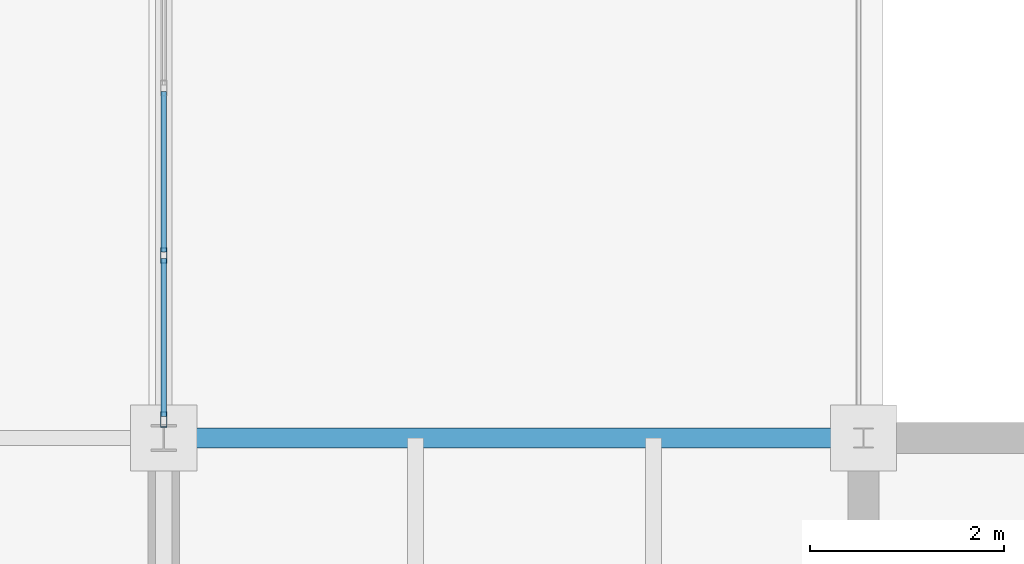
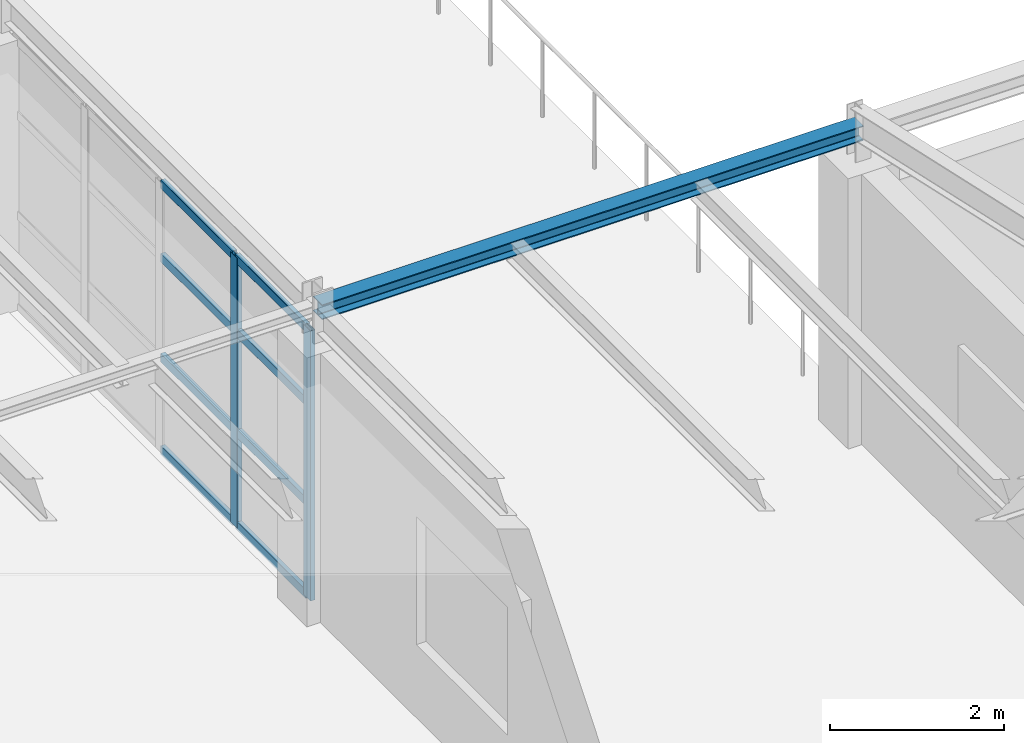
# One storey, part 34 of 101: 10 members, 1 beam, 1 element without a shape of its own.
"""IFC4 building model written with IfcOpenShell, lengths in metres."""

import ifcopenshell
import ifcopenshell.guid

model = None  # the IFC model being written
_history = None  # IfcOwnerHistory: only IFC2X3 demands one
_inside = {}  # id of a spatial element -> (the spatial element, [elements in it])
_under = {}  # id of a project, library or spatial element -> (it, [spatial elements below it])
_declared = {}  # id of a project -> (the project, [libraries it declares])
_typed = {}  # id of a type object -> (the type object, [elements of that type])
_made_of = {}  # id of a material, layer set ... -> (it, [elements and type objects made of it])


def new_model(schema):
    """Start an empty IFC model of exactly this schema.

    Asked for "IFC4X3", IfcOpenShell would pick the latest addendum, in which some entities
    have other attributes; the version numbers below select the first issue.
    IFC2X3 requires an IfcOwnerHistory on every rooted entity: one is made here for all.
    """
    global model, _history
    if schema == "IFC4X3":
        model = ifcopenshell.file(schema_version=(4, 3, 0, 0))
    else:
        model = ifcopenshell.file(schema=schema)
    _inside.clear()
    _under.clear()
    _declared.clear()
    _typed.clear()
    _made_of.clear()
    _history = None
    if model.schema == "IFC2X3":
        org = make("IfcOrganization", Name="unknown")
        user = make(
            "IfcPersonAndOrganization",
            ThePerson=make("IfcPerson", FamilyName="unknown"),
            TheOrganization=org,
        )
        app = make(
            "IfcApplication",
            ApplicationDeveloper=org,
            Version="unknown",
            ApplicationFullName="unknown",
            ApplicationIdentifier="unknown",
        )
        _history = make(
            "IfcOwnerHistory",
            OwningUser=user,
            OwningApplication=app,
            ChangeAction="ADDED",
            CreationDate=0,
        )
    return model


def make(cls, **values):
    """One entity of the class cls with the attributes given. An attribute that is None is left unset."""
    return model.create_entity(
        cls, **{name: value for name, value in values.items() if value is not None}
    )


def rooted(cls, **values):
    """An entity with a GlobalId (a new one), such as an element, a storey or a relation."""
    return make(cls, GlobalId=ifcopenshell.guid.new(), OwnerHistory=_history, **values)


def si_unit(unit_type, name, prefix=None):
    """IfcSIUnit, for example si_unit("LENGTHUNIT", "METRE", prefix="MILLI")."""
    return make("IfcSIUnit", UnitType=unit_type, Prefix=prefix, Name=name)


def assignment(units):
    """IfcUnitAssignment: the units of a project."""
    return None if units is None else make("IfcUnitAssignment", Units=units)


def point(xyz):
    """IfcCartesianPoint."""
    return None if xyz is None else make("IfcCartesianPoint", Coordinates=xyz)


def direction(xyz):
    """IfcDirection."""
    return None if xyz is None else make("IfcDirection", DirectionRatios=xyz)


def frame(location, z_axis=None, x_axis=None):
    """IfcAxis2Placement3D, a coordinate frame: its origin and axes. An axis left out is left unset."""
    return make(
        "IfcAxis2Placement3D",
        Location=point(location),
        Axis=direction(z_axis),
        RefDirection=direction(x_axis),
    )


def frame_2d(location, x_axis=None):
    """IfcAxis2Placement2D, a coordinate frame in the plane: its origin and x axis."""
    return make(
        "IfcAxis2Placement2D", Location=point(location), RefDirection=direction(x_axis)
    )


def origin():
    """The frame at (0, 0, 0) with its axes left unset."""
    return frame((0.0, 0.0, 0.0))


def origin_2d():
    """The frame at (0, 0) in the plane with its x axis left unset."""
    return frame_2d((0.0, 0.0))


def place(relative_to, where):
    """IfcLocalPlacement: puts the frame where relative to a parent placement (None: the world)."""
    return make(
        "IfcLocalPlacement", PlacementRelTo=relative_to, RelativePlacement=where
    )


def context(
    kind, dimensions, precision=None, world=None, true_north=None, identifier=None
):
    """IfcGeometricRepresentationContext, for example the 3D "Model" context."""
    return make(
        "IfcGeometricRepresentationContext",
        ContextIdentifier=identifier,
        ContextType=kind,
        CoordinateSpaceDimension=dimensions,
        Precision=precision,
        WorldCoordinateSystem=world,
        TrueNorth=true_north,
    )


def subcontext(parent, identifier, kind, view, scale=None):
    """IfcGeometricRepresentationSubContext, for example "Body" below "Model"."""
    return make(
        "IfcGeometricRepresentationSubContext",
        ContextIdentifier=identifier,
        ContextType=kind,
        ParentContext=parent,
        TargetScale=scale,
        TargetView=view,
    )


def project(units=None, contexts=None):
    """IfcProject with its units and contexts."""
    return rooted(
        "IfcProject",
        Name="project",
        RepresentationContexts=contexts,
        UnitsInContext=assignment(units),
    )


def spatial(cls, under=None, at=None, **own):
    """A site, building, storey or space (cls), placed at a placement, below another one or the project."""
    s = rooted(cls, ObjectPlacement=at, **own)
    if under is not None:
        _under.setdefault(under.id(), (under, []))[1].append(s)
    return s


def profile(cls, at=None, kind="AREA", **sizes):
    """A parametric profile (cls). Its sizes go by their IFC names, for example OverallWidth=200.0."""
    return make(cls, ProfileType=kind, Position=at, **sizes)


def hollow_rectangle(**sizes):
    """IfcRectangleHollowProfileDef."""
    return profile("IfcRectangleHollowProfileDef", **sizes)


def i_section(**sizes):
    """IfcIShapeProfileDef."""
    return profile("IfcIShapeProfileDef", **sizes)


def extrude(swept, where, along, depth):
    """IfcExtrudedAreaSolid: the profile swept, set in the frame where, extruded along a direction by depth."""
    return make(
        "IfcExtrudedAreaSolid",
        SweptArea=swept,
        Position=where,
        ExtrudedDirection=direction(along),
        Depth=depth,
    )


def shape(context_of_items, identifier, shape_type, items):
    """IfcShapeRepresentation: the items that make up one representation, for example the "Body"."""
    return make(
        "IfcShapeRepresentation",
        ContextOfItems=context_of_items,
        RepresentationIdentifier=identifier,
        RepresentationType=shape_type,
        Items=items,
    )


def material(Name=None, Category=None):
    """IfcMaterial."""
    return make("IfcMaterial", Name=Name, Category=Category)


def layer(
    of_material, thickness, ventilated=None, Name=None, Category=None, Priority=None
):
    """IfcMaterialLayer: one layer of a wall or slab, of a material (None: an air gap)."""
    return make(
        "IfcMaterialLayer",
        Material=of_material,
        LayerThickness=thickness,
        IsVentilated=ventilated,
        Name=Name,
        Category=Category,
        Priority=Priority,
    )


def layer_set(layers, Name=None):
    """IfcMaterialLayerSet."""
    return make("IfcMaterialLayerSet", MaterialLayers=layers, LayerSetName=Name)


def material_profile(
    of_material, cross_section, Name=None, Category=None, Priority=None
):
    """IfcMaterialProfile: a cross section and its material."""
    return make(
        "IfcMaterialProfile",
        Name=Name,
        Material=of_material,
        Profile=cross_section,
        Priority=Priority,
        Category=Category,
    )


def profile_set(profiles, Name=None, composite=None):
    """IfcMaterialProfileSet."""
    return make(
        "IfcMaterialProfileSet",
        Name=Name,
        MaterialProfiles=profiles,
        CompositeProfile=composite,
    )


def made_of(thing, what):
    """Note that an element or type object is made of a material, layer set ...; save() writes the relation."""
    if what is not None:
        _made_of.setdefault(what.id(), (what, []))[1].append(thing)
    return thing


def type_object(cls, material=None, **own):
    """A type object (cls), such as IfcWallType, which elements share."""
    return made_of(rooted(cls, **own), material)


def element(
    cls,
    number,
    at=None,
    inside=None,
    cuts=None,
    type_object=None,
    material=None,
    context=None,
    identifier="Body",
    shape_type=None,
    held_by="IfcProductDefinitionShape",
    body=None,
    shapes=None,
    **own,
):
    """One element of the class cls, such as IfcWall. Its Tag is "e" and its number.

    at: its placement. inside: the storey or other place that contains it. cuts: it is an
    opening in that element (IfcRelVoidsElement). A single representation is given by context,
    identifier, shape_type and body (its items); several are given by shapes. held_by: the class
    of the entity that holds the representations. save() writes the other relations.
    """
    e = rooted(cls, Tag="e%d" % number, ObjectPlacement=at, **own)
    if body is not None:
        shapes = [shape(context, identifier, shape_type, body)]
    if shapes is not None:
        e.Representation = make(held_by, Representations=shapes)
    if inside is not None:
        _inside.setdefault(inside.id(), (inside, []))[1].append(e)
    if cuts is not None:
        rooted(
            "IfcRelVoidsElement", RelatingBuildingElement=cuts, RelatedOpeningElement=e
        )
    if type_object is not None:
        _typed.setdefault(type_object.id(), (type_object, []))[1].append(e)
    return made_of(e, material)


def aggregate(whole, parts):
    """IfcRelAggregates: a whole, such as a stair, and the parts it consists of."""
    return rooted("IfcRelAggregates", RelatingObject=whole, RelatedObjects=parts)


def save(model, path):
    """Write the relations noted so far, then the file.

    IfcRelAggregates (storeys below a building ...), IfcRelContainedInSpatialStructure (elements
    in a storey), IfcRelDefinesByType, IfcRelAssociatesMaterial and IfcRelDeclares: one each for
    every whole, place, type object, material and project.
    """
    for whole, parts in _under.values():
        aggregate(whole, parts)
    for where, things in _inside.values():
        rooted(
            "IfcRelContainedInSpatialStructure",
            RelatedElements=things,
            RelatingStructure=where,
        )
    for kind, things in _typed.values():
        rooted("IfcRelDefinesByType", RelatedObjects=things, RelatingType=kind)
    for what, things in _made_of.values():
        rooted("IfcRelAssociatesMaterial", RelatedObjects=things, RelatingMaterial=what)
    for by, libraries in _declared.values():
        rooted("IfcRelDeclares", RelatingContext=by, RelatedDefinitions=libraries)
    model.write(path)


model = new_model("IFC4")

# Units and contexts
model_context = context("Model", 3, precision=1e-05, world=origin(), true_north=direction((0.0, 1.0)))
body_context = subcontext(model_context, "Body", "Model", "MODEL_VIEW")
ifc_project = project(units=[si_unit("LENGTHUNIT", "METRE"), si_unit("AREAUNIT", "SQUARE_METRE"), si_unit("VOLUMEUNIT", "CUBIC_METRE"), si_unit("PLANEANGLEUNIT", "RADIAN"), si_unit("MASSUNIT", "GRAM", prefix="KILO")], contexts=[model_context])

# Site, building, storey
site_placement = place(None, origin())
site = spatial("IfcSite", under=ifc_project, at=site_placement, CompositionType="ELEMENT")
building_placement = place(site_placement, origin())
building = spatial("IfcBuilding", under=site, at=building_placement, Name="Kemerveld Promenade Tramway Depot", CompositionType="ELEMENT")
storey_placement = place(building_placement, frame((0.0, 0.0, 9.89990234375)))
storey = spatial("IfcBuildingStorey", under=building, at=storey_placement, Name="L02", CompositionType="ELEMENT", Elevation=9.89990234375)

# Beam
ifc_material_1 = material(Name="Steel S355", Category="steel")
ifc_material_profile_1 = material_profile(ifc_material_1, i_section(OverallWidth=0.205810546875, OverallDepth=0.209716796875, WebThickness=0.009521484375, FlangeThickness=0.01416015625, FilletRadius=0.01025390625, at=origin_2d()), Name="203x203x60 UC")
ifc_profile_set_1 = profile_set([ifc_material_profile_1], Name="Steel S355")
beam_type = type_object("IfcBeamType", Name="BM-LN3", PredefinedType="LINTEL", material=ifc_profile_set_1)
beam_placement = place(storey_placement, frame((50.39990234375, 28.800048828125, 4.18017578125), z_axis=(1.0, 0.0, 0.0), x_axis=(0.0, 1.0, 0.0)))
element("IfcBeam", 1, at=beam_placement, inside=storey, type_object=beam_type, Name="BMX-L02-08-09-E", PredefinedType="LINTEL", context=body_context, shape_type="SweptSolid", body=[
    extrude(i_section(OverallWidth=0.205810546875, OverallDepth=0.209716796875, WebThickness=0.009521484375, FlangeThickness=0.01416015625, FilletRadius=0.01025390625, at=origin_2d()), origin(), (0.0, 0.0, 1.0), 7.2001953125),
])

# Curtain wall, members
ifc_material_2 = material(Name="Bronze anodised aluminium and solar glass", Category="aluminium")
ifc_layer = layer(ifc_material_2, 0.159912109375)
ifc_layer_set = layer_set([ifc_layer], Name="CW-SYS-09")
curtain_wall_type = type_object("IfcCurtainWallType", Name="CW-SYS-09", PredefinedType="USERDEFINED", material=ifc_layer_set)
curtain_wall_placement = place(storey_placement, origin())
curtain_wall = element("IfcCurtainWall", 2, at=curtain_wall_placement, inside=storey, type_object=curtain_wall_type, Name="CW-L02-V5E-06", ObjectType="GLAZED_CURTAIN_WALL", PredefinedType="USERDEFINED")
ifc_material_3 = material(Name="Bronze anodised aluminium", Category="aluminium")
ifc_material_profile_2 = material_profile(ifc_material_3, hollow_rectangle(XDim=0.06494140625, YDim=0.159912109375, WallThickness=0.00390625, InnerFilletRadius=0.001953125, OuterFilletRadius=0.00390625, at=origin_2d()), Name="CW-MUL-160x65")
ifc_profile_set_2 = profile_set([ifc_material_profile_2], Name="Bronze anodised aluminium")
member_type_1 = type_object("IfcMemberType", Name="CW-MUL-A", PredefinedType="MULLION", material=ifc_profile_set_2)
member_1_placement = place(storey_placement, frame((50.39990234375, 30.678955078125, 0.0), z_axis=(0.0, 0.0, 1.0), x_axis=(1.0, 0.0, 0.0)))
member_1 = element("IfcMember", 3, at=member_1_placement, type_object=member_type_1, Name="CW09 mullion 4", PredefinedType="MULLION", context=body_context, shape_type="SweptSolid", body=[
    extrude(hollow_rectangle(XDim=0.06494140625, YDim=0.159912109375, WallThickness=0.00390625, InnerFilletRadius=0.001953125, OuterFilletRadius=0.00390625, at=origin_2d()), origin(), (0.0, 0.0, 1.0), 3.800048828125),
])
member_2_placement = place(storey_placement, frame((50.39990234375, 28.990478515625, 0.0), z_axis=(0.0, 0.0, 1.0), x_axis=(1.0, 0.0, 0.0)))
member_2 = element("IfcMember", 4, at=member_2_placement, type_object=member_type_1, Name="CW09 mullion 5", PredefinedType="MULLION", context=body_context, shape_type="SweptSolid", body=[
    extrude(hollow_rectangle(XDim=0.06494140625, YDim=0.159912109375, WallThickness=0.00390625, InnerFilletRadius=0.001953125, OuterFilletRadius=0.00390625, at=origin_2d()), origin(), (0.0, 0.0, 1.0), 3.800048828125),
])
ifc_material_profile_3 = material_profile(ifc_material_3, hollow_rectangle(XDim=0.06005859375, YDim=0.1201171875, WallThickness=0.00390625, InnerFilletRadius=0.001953125, OuterFilletRadius=0.00390625, at=origin_2d()), Name="CW-TRN-120x60")
ifc_profile_set_3 = profile_set([ifc_material_profile_3], Name="Bronze anodised aluminium")
member_type_2 = type_object("IfcMemberType", Name="CW-TRN-A", PredefinedType="USERDEFINED", material=ifc_profile_set_3)
member_3_placement = place(storey_placement, frame((50.39990234375, 32.367431640625, 0.030029296875), z_axis=(0.0, -1.0, 0.0), x_axis=(1.0, 0.0, 0.0)))
member_3 = element("IfcMember", 5, at=member_3_placement, type_object=member_type_2, Name="CW09 transom 3.1", ObjectType="TRANSOM", PredefinedType="USERDEFINED", context=body_context, shape_type="SweptSolid", body=[
    extrude(hollow_rectangle(XDim=0.06005859375, YDim=0.1201171875, WallThickness=0.00390625, InnerFilletRadius=0.001953125, OuterFilletRadius=0.00390625, at=origin_2d()), origin(), (0.0, 0.0, 1.0), 1.65576171875),
])
member_4_placement = place(storey_placement, frame((50.39990234375, 32.367431640625, 1.330078125), z_axis=(0.0, -1.0, 0.0), x_axis=(1.0, 0.0, 0.0)))
member_4 = element("IfcMember", 6, at=member_4_placement, type_object=member_type_2, Name="CW09 transom 3.2", ObjectType="TRANSOM", PredefinedType="USERDEFINED", context=body_context, shape_type="SweptSolid", body=[
    extrude(hollow_rectangle(XDim=0.06005859375, YDim=0.1201171875, WallThickness=0.00390625, InnerFilletRadius=0.001953125, OuterFilletRadius=0.00390625, at=origin_2d()), origin(), (0.0, 0.0, 1.0), 1.65576171875),
])
member_5_placement = place(storey_placement, frame((50.39990234375, 32.367431640625, 2.736083984375), z_axis=(0.0, -1.0, 0.0), x_axis=(1.0, 0.0, 0.0)))
member_5 = element("IfcMember", 7, at=member_5_placement, type_object=member_type_2, Name="CW09 transom 3.3", ObjectType="TRANSOM", PredefinedType="USERDEFINED", context=body_context, shape_type="SweptSolid", body=[
    extrude(hollow_rectangle(XDim=0.06005859375, YDim=0.1201171875, WallThickness=0.00390625, InnerFilletRadius=0.001953125, OuterFilletRadius=0.00390625, at=origin_2d()), origin(), (0.0, 0.0, 1.0), 1.65576171875),
])
member_6_placement = place(storey_placement, frame((50.39990234375, 32.367431640625, 3.77001953125), z_axis=(0.0, -1.0, 0.0), x_axis=(1.0, 0.0, 0.0)))
member_6 = element("IfcMember", 8, at=member_6_placement, type_object=member_type_2, Name="CW09 transom 3.4", ObjectType="TRANSOM", PredefinedType="USERDEFINED", context=body_context, shape_type="SweptSolid", body=[
    extrude(hollow_rectangle(XDim=0.06005859375, YDim=0.1201171875, WallThickness=0.00390625, InnerFilletRadius=0.001953125, OuterFilletRadius=0.00390625, at=origin_2d()), origin(), (0.0, 0.0, 1.0), 1.65576171875),
])
member_7_placement = place(storey_placement, frame((50.39990234375, 30.646484375, 0.030029296875), z_axis=(0.0, -1.0, 0.0), x_axis=(1.0, 0.0, 0.0)))
member_7 = element("IfcMember", 9, at=member_7_placement, type_object=member_type_2, Name="CW09 transom 4.1", ObjectType="TRANSOM", PredefinedType="USERDEFINED", context=body_context, shape_type="SweptSolid", body=[
    extrude(hollow_rectangle(XDim=0.06005859375, YDim=0.1201171875, WallThickness=0.00390625, InnerFilletRadius=0.001953125, OuterFilletRadius=0.00390625, at=origin_2d()), origin(), (0.0, 0.0, 1.0), 1.623291015625),
])
member_8_placement = place(storey_placement, frame((50.39990234375, 30.646484375, 1.330078125), z_axis=(0.0, -1.0, 0.0), x_axis=(1.0, 0.0, 0.0)))
member_8 = element("IfcMember", 10, at=member_8_placement, type_object=member_type_2, Name="CW09 transom 4.2", ObjectType="TRANSOM", PredefinedType="USERDEFINED", context=body_context, shape_type="SweptSolid", body=[
    extrude(hollow_rectangle(XDim=0.06005859375, YDim=0.1201171875, WallThickness=0.00390625, InnerFilletRadius=0.001953125, OuterFilletRadius=0.00390625, at=origin_2d()), origin(), (0.0, 0.0, 1.0), 1.623291015625),
])
member_9_placement = place(storey_placement, frame((50.39990234375, 30.646484375, 2.736083984375), z_axis=(0.0, -1.0, 0.0), x_axis=(1.0, 0.0, 0.0)))
member_9 = element("IfcMember", 11, at=member_9_placement, type_object=member_type_2, Name="CW09 transom 4.3", ObjectType="TRANSOM", PredefinedType="USERDEFINED", context=body_context, shape_type="SweptSolid", body=[
    extrude(hollow_rectangle(XDim=0.06005859375, YDim=0.1201171875, WallThickness=0.00390625, InnerFilletRadius=0.001953125, OuterFilletRadius=0.00390625, at=origin_2d()), origin(), (0.0, 0.0, 1.0), 1.623291015625),
])
member_10_placement = place(storey_placement, frame((50.39990234375, 30.646484375, 3.77001953125), z_axis=(0.0, -1.0, 0.0), x_axis=(1.0, 0.0, 0.0)))
member_10 = element("IfcMember", 12, at=member_10_placement, type_object=member_type_2, Name="CW09 transom 4.4", ObjectType="TRANSOM", PredefinedType="USERDEFINED", context=body_context, shape_type="SweptSolid", body=[
    extrude(hollow_rectangle(XDim=0.06005859375, YDim=0.1201171875, WallThickness=0.00390625, InnerFilletRadius=0.001953125, OuterFilletRadius=0.00390625, at=origin_2d()), origin(), (0.0, 0.0, 1.0), 1.623291015625),
])
aggregate(curtain_wall, [member_1, member_2, member_3, member_4, member_5, member_6, member_7, member_8, member_9, member_10])

save(model, "model.ifc")
